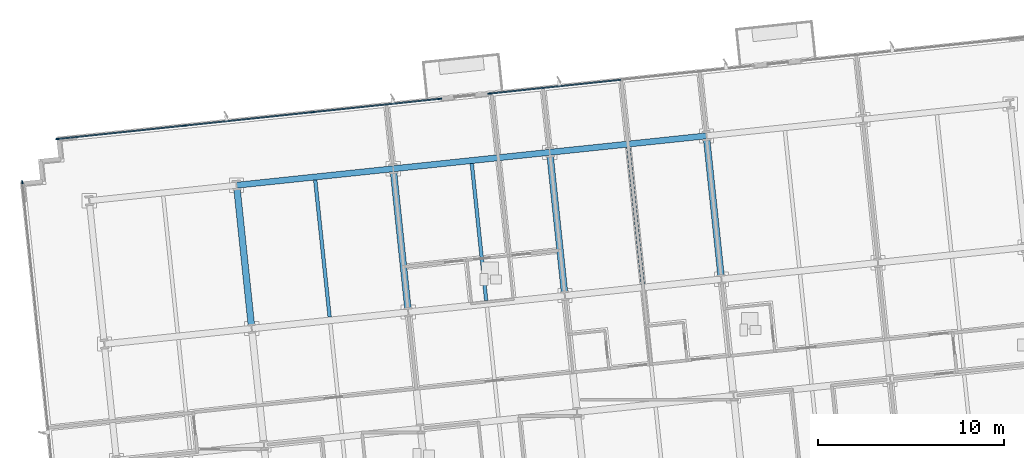
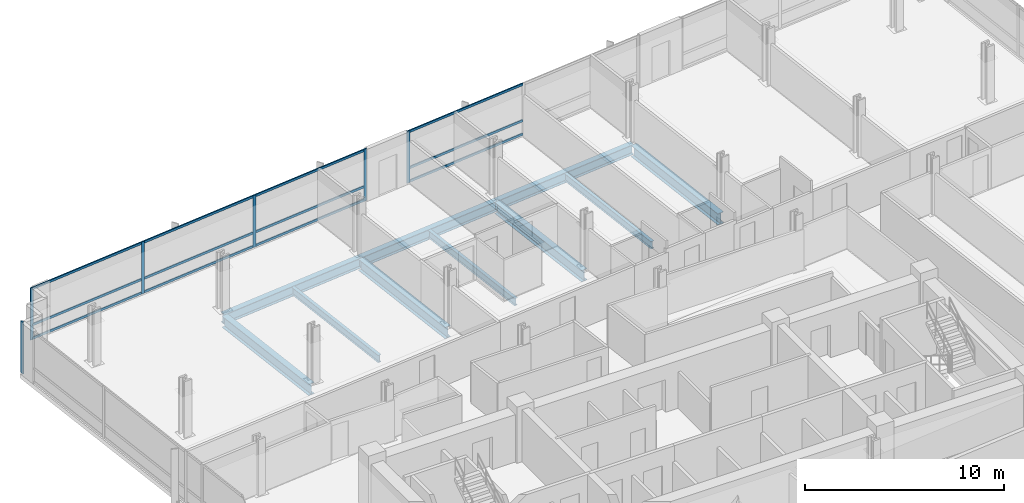
# One storey, part 7 of 17: 18 members, 10 beams, 3 elements without a shape of their own.
"""IFC4 building model written with IfcOpenShell, lengths in metres."""

from ifc_helpers import new_model, si_unit, direction, frame, origin, origin_2d, place, context, subcontext, project, spatial, rectangle, i_section, extrude, material, material_profile, profile_set, type_object, element, aggregate, save


model = new_model("IFC4")

# Units and contexts
model_context = context("Model", 3, precision=1e-05, world=origin(), true_north=direction((0.0, 1.0)))
body_context = subcontext(model_context, "Body", "Model", "MODEL_VIEW")
ifc_project = project(units=[si_unit("LENGTHUNIT", "METRE"), si_unit("AREAUNIT", "SQUARE_METRE"), si_unit("VOLUMEUNIT", "CUBIC_METRE"), si_unit("PLANEANGLEUNIT", "RADIAN"), si_unit("MASSUNIT", "GRAM", prefix="KILO")], contexts=[model_context])

# Site, building, storey
site_placement = place(None, origin())
site = spatial("IfcSite", under=ifc_project, at=site_placement, CompositionType="ELEMENT")
building_placement = place(site_placement, origin())
building = spatial("IfcBuilding", under=site, at=building_placement, Name="Solmavex Isthmus Hotel", CompositionType="ELEMENT")
storey_placement = place(building_placement, frame((0.0, 0.0, 93.89990234375)))
storey = spatial("IfcBuildingStorey", under=building, at=storey_placement, Name="L25", CompositionType="ELEMENT", Elevation=93.89990234375)

# Beams
ifc_material_1 = material(Name="Steel ASTM A992 Grade 50", Category="steel")
ifc_material_profile_1 = material_profile(ifc_material_1, i_section(OverallWidth=0.354736328125, OverallDepth=0.695556640625, WebThickness=0.015380859375, FlangeThickness=0.02490234375, FilletRadius=0.017822265625, at=origin_2d()), Name="W27X146")
ifc_profile_set_1 = profile_set([ifc_material_profile_1], Name="Steel ASTM A992 Grade 50")
beam_type_1 = type_object("IfcBeamType", Name="BM-BG-W27X146", PredefinedType="BEAM", material=ifc_profile_set_1)
for number, where, z_axis, x_axis, name in (
    (1, (-13.135498046875, 8.55859375, -0.607666015625), (-0.1045578893, 0.994518802128, 0.0), (-0.994518802128, -0.1045578893, 0.0), "Floor Beam L25-VG31"),
    (2, (-4.716064453125, 9.443603515625, -0.607666015625), (-0.104525307271, 0.994522227072, 0.0), (-0.994522227072, -0.104525307271, 0.0), "Floor Beam L25-VG35"),
):
    element("IfcBeam", number, at=place(storey_placement, frame(where, z_axis=z_axis, x_axis=x_axis)), inside=storey, type_object=beam_type_1, Name=name, PredefinedType="BEAM", context=body_context, shape_type="SweptSolid", body=[
        extrude(i_section(OverallWidth=0.354736328125, OverallDepth=0.695556640625, WebThickness=0.015380859375, FlangeThickness=0.02490234375, FilletRadius=0.017822265625, at=origin_2d()), origin(), (0.0, 0.0, 1.0), 7.4111328125),
    ])
beam_1_placement = place(storey_placement, frame((3.70361328125, 10.328369140625, -0.607666015625), z_axis=(-0.10452188296, 0.994522586964, 0.0), x_axis=(-0.994522586964, -0.10452188296, 0.0)))
element("IfcBeam", 3, at=beam_1_placement, inside=storey, type_object=beam_type_1, Name="Floor Beam L25-VG39", PredefinedType="BEAM", context=body_context, shape_type="SweptSolid", body=[
    extrude(i_section(OverallWidth=0.354736328125, OverallDepth=0.695556640625, WebThickness=0.015380859375, FlangeThickness=0.02490234375, FilletRadius=0.017822265625, at=origin_2d()), origin(), (0.0, 0.0, 1.0), 7.411376953125),
])
beam_2_placement = place(storey_placement, frame((12.123291015625, 11.21337890625, -0.607666015625), z_axis=(-0.104525307271, 0.994522227072, 0.0), x_axis=(-0.994522227072, -0.104525307271, 0.0)))
element("IfcBeam", 4, at=beam_2_placement, inside=storey, type_object=beam_type_1, Name="Floor Beam L25-VG42", PredefinedType="BEAM", context=body_context, shape_type="SweptSolid", body=[
    extrude(i_section(OverallWidth=0.354736328125, OverallDepth=0.695556640625, WebThickness=0.015380859375, FlangeThickness=0.02490234375, FilletRadius=0.017822265625, at=origin_2d()), origin(), (0.0, 0.0, 1.0), 7.4111328125),
])
ifc_material_profile_2 = material_profile(ifc_material_1, i_section(OverallWidth=0.1904296875, OverallDepth=0.456787109375, WebThickness=0.009033203125, FlangeThickness=0.014404296875, FilletRadius=0.0126953125, at=origin_2d()), Name="W18X50")
ifc_profile_set_2 = profile_set([ifc_material_profile_2], Name="Steel ASTM A992 Grade 50")
beam_type_2 = type_object("IfcBeamType", Name="BM-BJ-W18X50", PredefinedType="JOIST", material=ifc_profile_set_2)
beam_3_placement = place(storey_placement, frame((-8.92578125, 9.0009765625, -0.48828125), z_axis=(-0.10452188296, 0.994522586964, 0.0), x_axis=(-0.994522586964, -0.10452188296, 0.0)))
element("IfcBeam", 5, at=beam_3_placement, inside=storey, type_object=beam_type_2, Name="Secondary Floor Joist L25-J08", PredefinedType="JOIST", context=body_context, shape_type="SweptSolid", body=[
    extrude(i_section(OverallWidth=0.1904296875, OverallDepth=0.456787109375, WebThickness=0.009033203125, FlangeThickness=0.014404296875, FilletRadius=0.0126953125, at=origin_2d()), origin(), (0.0, 0.0, 1.0), 7.411376953125),
])
for number, where, z_axis, x_axis, name in (
    (6, (-0.506103515625, 9.885986328125, -0.48828125), (-0.104525307271, 0.994522227072, 0.0), (-0.994522227072, -0.104525307271, 0.0), "Secondary Floor Joist L25-J12"),
    (7, (7.913330078125, 10.77099609375, -0.48828125), (-0.104525307271, 0.994522227072, 0.0), (-0.994522227072, -0.104525307271, 0.0), "Secondary Floor Joist L25-J15"),
):
    element("IfcBeam", number, at=place(storey_placement, frame(where, z_axis=z_axis, x_axis=x_axis)), inside=storey, type_object=beam_type_2, Name=name, PredefinedType="JOIST", context=body_context, shape_type="SweptSolid", body=[
        extrude(i_section(OverallWidth=0.1904296875, OverallDepth=0.456787109375, WebThickness=0.009033203125, FlangeThickness=0.014404296875, FilletRadius=0.0126953125, at=origin_2d()), origin(), (0.0, 0.0, 1.0), 7.4111328125),
    ])
ifc_material_profile_3 = material_profile(ifc_material_1, i_section(OverallWidth=0.326416015625, OverallDepth=0.621826171875, WebThickness=0.015380859375, FlangeThickness=0.0244140625, FilletRadius=0.01513671875, at=origin_2d()), Name="W24X131")
ifc_profile_set_3 = profile_set([ifc_material_profile_3], Name="Steel ASTM A992 Grade 50")
beam_type_3 = type_object("IfcBeamType", Name="BM-SP-W24X131", PredefinedType="SPANDREL", material=ifc_profile_set_3)
for number, where, z_axis, x_axis, name in (
    (8, (-13.927490234375, 16.091552734375, -0.57080078125), (0.994521085209, 0.104536171134, 0.0), (-0.104536171134, 0.994521085209, 0.0), "Floor Girder L25-UG20"),
    (9, (-5.5078125, 16.9765625, -0.57080078125), (0.994521085209, 0.104536171134, 0.0), (-0.104536171134, 0.994521085209, 0.0), "Floor Girder L25-UG21"),
    (10, (2.911865234375, 17.861572265625, -0.57080078125), (0.994521085209, 0.104536171134, 0.0), (-0.104536171134, 0.994521085209, 0.0), "Floor Girder L25-UG22"),
):
    element("IfcBeam", number, at=place(storey_placement, frame(where, z_axis=z_axis, x_axis=x_axis)), inside=storey, type_object=beam_type_3, Name=name, PredefinedType="SPANDREL", context=body_context, shape_type="SweptSolid", body=[
        extrude(i_section(OverallWidth=0.326416015625, OverallDepth=0.621826171875, WebThickness=0.015380859375, FlangeThickness=0.0244140625, FilletRadius=0.01513671875, at=origin_2d()), origin(), (0.0, 0.0, 1.0), 8.466064453125),
    ])

# Curtain wall, members
ifc_material_2 = material(Name="Aluminium alloy 6063-T6", Category="aluminium")
curtain_wall_type = type_object("IfcCurtainWallType", Name="CW-SYS-03", PredefinedType="NOTDEFINED", material=ifc_material_2)
curtain_wall_1_placement = place(storey_placement, origin())
curtain_wall_1 = element("IfcCurtainWall", 11, at=curtain_wall_1_placement, inside=storey, type_object=curtain_wall_type, Name="Stick Curtain Wall CWL-L25-N1", PredefinedType="NOTDEFINED")
ifc_material_profile_4 = material_profile(ifc_material_2, rectangle(XDim=0.070068359375, YDim=0.179931640625, at=origin_2d()), Name="CWM-70X180")
ifc_profile_set_4 = profile_set([ifc_material_profile_4], Name="Aluminium alloy 6063-T6")
member_type_1 = type_object("IfcMemberType", Name="CW-SYS-03-MUL", PredefinedType="MULLION", material=ifc_profile_set_4)
member_1_placement = place(storey_placement, frame((-23.572998046875, 18.5771484375, 0.0), z_axis=(0.0, 0.0, 1.0), x_axis=(-0.10452832057, 0.994521910366, 0.0)))
member_1 = element("IfcMember", 12, at=member_1_placement, type_object=member_type_1, Name="CW-03 mullion 1", PredefinedType="MULLION", context=body_context, shape_type="SweptSolid", body=[
    extrude(rectangle(XDim=0.070068359375, YDim=0.179931640625, at=origin_2d()), origin(), (0.0, 0.0, 1.0), 3.190185546875),
])
member_2_placement = place(storey_placement, frame((-16.723388671875, 19.296875, 0.0), z_axis=(0.0, 0.0, 1.0), x_axis=(-0.10452832057, 0.994521910366, 0.0)))
member_2 = element("IfcMember", 13, at=member_2_placement, type_object=member_type_1, Name="CW-03 mullion 2", PredefinedType="MULLION", context=body_context, shape_type="SweptSolid", body=[
    extrude(rectangle(XDim=0.070068359375, YDim=0.179931640625, at=origin_2d()), origin(), (0.0, 0.0, 1.0), 3.190185546875),
])
member_3_placement = place(storey_placement, frame((-9.839111328125, 20.0205078125, 0.0), z_axis=(0.0, 0.0, 1.0), x_axis=(-0.10452832057, 0.994521910366, 0.0)))
member_3 = element("IfcMember", 14, at=member_3_placement, type_object=member_type_1, Name="CW-03 mullion 3", PredefinedType="MULLION", context=body_context, shape_type="SweptSolid", body=[
    extrude(rectangle(XDim=0.070068359375, YDim=0.179931640625, at=origin_2d()), origin(), (0.0, 0.0, 1.0), 3.190185546875),
])
member_4_placement = place(storey_placement, frame((-2.989501953125, 20.740478515625, 0.0), z_axis=(0.0, 0.0, 1.0), x_axis=(-0.10452832057, 0.994521910366, 0.0)))
member_4 = element("IfcMember", 15, at=member_4_placement, type_object=member_type_1, Name="CW-03 mullion 4", PredefinedType="MULLION", context=body_context, shape_type="SweptSolid", body=[
    extrude(rectangle(XDim=0.070068359375, YDim=0.179931640625, at=origin_2d()), origin(), (0.0, 0.0, 1.0), 3.190185546875),
])

# Curtain wall, member
curtain_wall_2_placement = place(storey_placement, origin())
curtain_wall_2 = element("IfcCurtainWall", 16, at=curtain_wall_2_placement, inside=storey, type_object=curtain_wall_type, Name="Stick Curtain Wall CWL-L25-N2", PredefinedType="NOTDEFINED")
member_5_placement = place(storey_placement, frame((-0.333984375, 21.01953125, 0.0), z_axis=(0.0, 0.0, 1.0), x_axis=(-0.10452900389, 0.994521838546, 0.0)))
member_5 = element("IfcMember", 17, at=member_5_placement, type_object=member_type_1, Name="CW-03 mullion 1", PredefinedType="MULLION", context=body_context, shape_type="SweptSolid", body=[
    extrude(rectangle(XDim=0.070068359375, YDim=0.179931640625, at=origin_2d()), origin(), (0.0, 0.0, 1.0), 3.190185546875),
])

curtain_wall_3_placement = place(storey_placement, origin())
curtain_wall_3 = element("IfcCurtainWall", 18, at=curtain_wall_3_placement, inside=storey, type_object=curtain_wall_type, Name="Stick Curtain Wall CWL-L25-W1", PredefinedType="NOTDEFINED")
member_6_placement = place(storey_placement, frame((-25.455322265625, 16.25244140625, 0.0), z_axis=(0.0, 0.0, 1.0), x_axis=(-0.994521893044, -0.104528485381, 0.0)))
member_6 = element("IfcMember", 19, at=member_6_placement, type_object=member_type_1, Name="CW-03 mullion 6", PredefinedType="MULLION", context=body_context, shape_type="SweptSolid", body=[
    extrude(rectangle(XDim=0.070068359375, YDim=0.179931640625, at=origin_2d()), origin(), (0.0, 0.0, 1.0), 3.190185546875),
])
aggregate(curtain_wall_3, [member_6])

# Member
ifc_material_profile_5 = material_profile(ifc_material_2, rectangle(XDim=0.070068359375, YDim=0.139892578125, at=origin_2d()), Name="CWT-70X140")
ifc_profile_set_5 = profile_set([ifc_material_profile_5], Name="Aluminium alloy 6063-T6")
member_type_2 = type_object("IfcMemberType", Name="CW-SYS-03-TRN", PredefinedType="USERDEFINED", material=ifc_profile_set_5)
member_7_placement = place(storey_placement, frame((-23.5380859375, 18.58056640625, 0.070068359375), z_axis=(0.994520944536, 0.104537509438, 0.0), x_axis=(-0.104537509438, 0.994520944536, 0.0)))
member_7 = element("IfcMember", 20, at=member_7_placement, type_object=member_type_2, Name="CW-03 transom 1.1", ObjectType="TRANSOM", PredefinedType="USERDEFINED", context=body_context, shape_type="SweptSolid", body=[
    extrude(rectangle(XDim=0.070068359375, YDim=0.139892578125, at=origin_2d()), origin(), (0.0, 0.0, 1.0), 6.817138671875),
])

member_8_placement = place(storey_placement, frame((-23.5380859375, 18.58056640625, 0.900146484375), z_axis=(0.994520944536, 0.104537509438, 0.0), x_axis=(-0.104537509438, 0.994520944536, 0.0)))
member_8 = element("IfcMember", 21, at=member_8_placement, type_object=member_type_2, Name="CW-03 transom 1.2", ObjectType="TRANSOM", PredefinedType="USERDEFINED", context=body_context, shape_type="SweptSolid", body=[
    extrude(rectangle(XDim=0.070068359375, YDim=0.139892578125, at=origin_2d()), origin(), (0.0, 0.0, 1.0), 6.817138671875),
])

member_9_placement = place(storey_placement, frame((-23.5380859375, 18.58056640625, 3.1201171875), z_axis=(0.994520944536, 0.104537509438, 0.0), x_axis=(-0.104537509438, 0.994520944536, 0.0)))
member_9 = element("IfcMember", 22, at=member_9_placement, type_object=member_type_2, Name="CW-03 transom 1.3", ObjectType="TRANSOM", PredefinedType="USERDEFINED", context=body_context, shape_type="SweptSolid", body=[
    extrude(rectangle(XDim=0.070068359375, YDim=0.139892578125, at=origin_2d()), origin(), (0.0, 0.0, 1.0), 6.817138671875),
])

member_10_placement = place(storey_placement, frame((-16.6884765625, 19.300537109375, 0.070068359375), z_axis=(0.994521060183, 0.104536409221, 0.0), x_axis=(-0.104536409221, 0.994521060183, 0.0)))
member_10 = element("IfcMember", 23, at=member_10_placement, type_object=member_type_2, Name="CW-03 transom 2.1", ObjectType="TRANSOM", PredefinedType="USERDEFINED", context=body_context, shape_type="SweptSolid", body=[
    extrude(rectangle(XDim=0.070068359375, YDim=0.139892578125, at=origin_2d()), origin(), (0.0, 0.0, 1.0), 6.852294921875),
])

member_11_placement = place(storey_placement, frame((-16.6884765625, 19.300537109375, 0.900146484375), z_axis=(0.994521060183, 0.104536409221, 0.0), x_axis=(-0.104536409221, 0.994521060183, 0.0)))
member_11 = element("IfcMember", 24, at=member_11_placement, type_object=member_type_2, Name="CW-03 transom 2.2", ObjectType="TRANSOM", PredefinedType="USERDEFINED", context=body_context, shape_type="SweptSolid", body=[
    extrude(rectangle(XDim=0.070068359375, YDim=0.139892578125, at=origin_2d()), origin(), (0.0, 0.0, 1.0), 6.852294921875),
])

member_12_placement = place(storey_placement, frame((-16.6884765625, 19.300537109375, 3.1201171875), z_axis=(0.994521060183, 0.104536409221, 0.0), x_axis=(-0.104536409221, 0.994521060183, 0.0)))
member_12 = element("IfcMember", 25, at=member_12_placement, type_object=member_type_2, Name="CW-03 transom 2.3", ObjectType="TRANSOM", PredefinedType="USERDEFINED", context=body_context, shape_type="SweptSolid", body=[
    extrude(rectangle(XDim=0.070068359375, YDim=0.139892578125, at=origin_2d()), origin(), (0.0, 0.0, 1.0), 6.852294921875),
])

member_13_placement = place(storey_placement, frame((-9.80419921875, 20.024169921875, 0.070068359375), z_axis=(0.99452133588, 0.104533786303, 0.0), x_axis=(-0.104533786303, 0.99452133588, 0.0)))
member_13 = element("IfcMember", 26, at=member_13_placement, type_object=member_type_2, Name="CW-03 transom 3.1", ObjectType="TRANSOM", PredefinedType="USERDEFINED", context=body_context, shape_type="SweptSolid", body=[
    extrude(rectangle(XDim=0.070068359375, YDim=0.139892578125, at=origin_2d()), origin(), (0.0, 0.0, 1.0), 6.8173828125),
])

member_14_placement = place(storey_placement, frame((-9.80419921875, 20.024169921875, 0.900146484375), z_axis=(0.99452133588, 0.104533786303, 0.0), x_axis=(-0.104533786303, 0.99452133588, 0.0)))
member_14 = element("IfcMember", 27, at=member_14_placement, type_object=member_type_2, Name="CW-03 transom 3.2", ObjectType="TRANSOM", PredefinedType="USERDEFINED", context=body_context, shape_type="SweptSolid", body=[
    extrude(rectangle(XDim=0.070068359375, YDim=0.139892578125, at=origin_2d()), origin(), (0.0, 0.0, 1.0), 6.8173828125),
])

member_15_placement = place(storey_placement, frame((-9.80419921875, 20.024169921875, 3.1201171875), z_axis=(0.99452133588, 0.104533786303, 0.0), x_axis=(-0.104533786303, 0.99452133588, 0.0)))
member_15 = element("IfcMember", 28, at=member_15_placement, type_object=member_type_2, Name="CW-03 transom 3.3", ObjectType="TRANSOM", PredefinedType="USERDEFINED", context=body_context, shape_type="SweptSolid", body=[
    extrude(rectangle(XDim=0.070068359375, YDim=0.139892578125, at=origin_2d()), origin(), (0.0, 0.0, 1.0), 6.8173828125),
])

aggregate(curtain_wall_1, [member_1, member_2, member_3, member_4, member_7, member_8, member_9, member_10, member_11, member_12, member_13, member_14, member_15])

member_16_placement = place(storey_placement, frame((-0.29931640625, 21.023193359375, 0.070068359375), z_axis=(0.9945226797, 0.104521000582, 0.0), x_axis=(-0.104521000582, 0.9945226797, 0.0)))
member_16 = element("IfcMember", 29, at=member_16_placement, type_object=member_type_2, Name="CW-03 transom 1.1", ObjectType="TRANSOM", PredefinedType="USERDEFINED", context=body_context, shape_type="SweptSolid", body=[
    extrude(rectangle(XDim=0.070068359375, YDim=0.139892578125, at=origin_2d()), origin(), (0.0, 0.0, 1.0), 7.06103515625),
])

member_17_placement = place(storey_placement, frame((-0.29931640625, 21.023193359375, 0.900146484375), z_axis=(0.9945226797, 0.104521000582, 0.0), x_axis=(-0.104521000582, 0.9945226797, 0.0)))
member_17 = element("IfcMember", 30, at=member_17_placement, type_object=member_type_2, Name="CW-03 transom 1.2", ObjectType="TRANSOM", PredefinedType="USERDEFINED", context=body_context, shape_type="SweptSolid", body=[
    extrude(rectangle(XDim=0.070068359375, YDim=0.139892578125, at=origin_2d()), origin(), (0.0, 0.0, 1.0), 7.06103515625),
])

member_18_placement = place(storey_placement, frame((-0.29931640625, 21.023193359375, 3.1201171875), z_axis=(0.9945226797, 0.104521000582, 0.0), x_axis=(-0.104521000582, 0.9945226797, 0.0)))
member_18 = element("IfcMember", 31, at=member_18_placement, type_object=member_type_2, Name="CW-03 transom 1.3", ObjectType="TRANSOM", PredefinedType="USERDEFINED", context=body_context, shape_type="SweptSolid", body=[
    extrude(rectangle(XDim=0.070068359375, YDim=0.139892578125, at=origin_2d()), origin(), (0.0, 0.0, 1.0), 7.06103515625),
])

aggregate(curtain_wall_2, [member_5, member_16, member_17, member_18])

save(model, "model.ifc")
